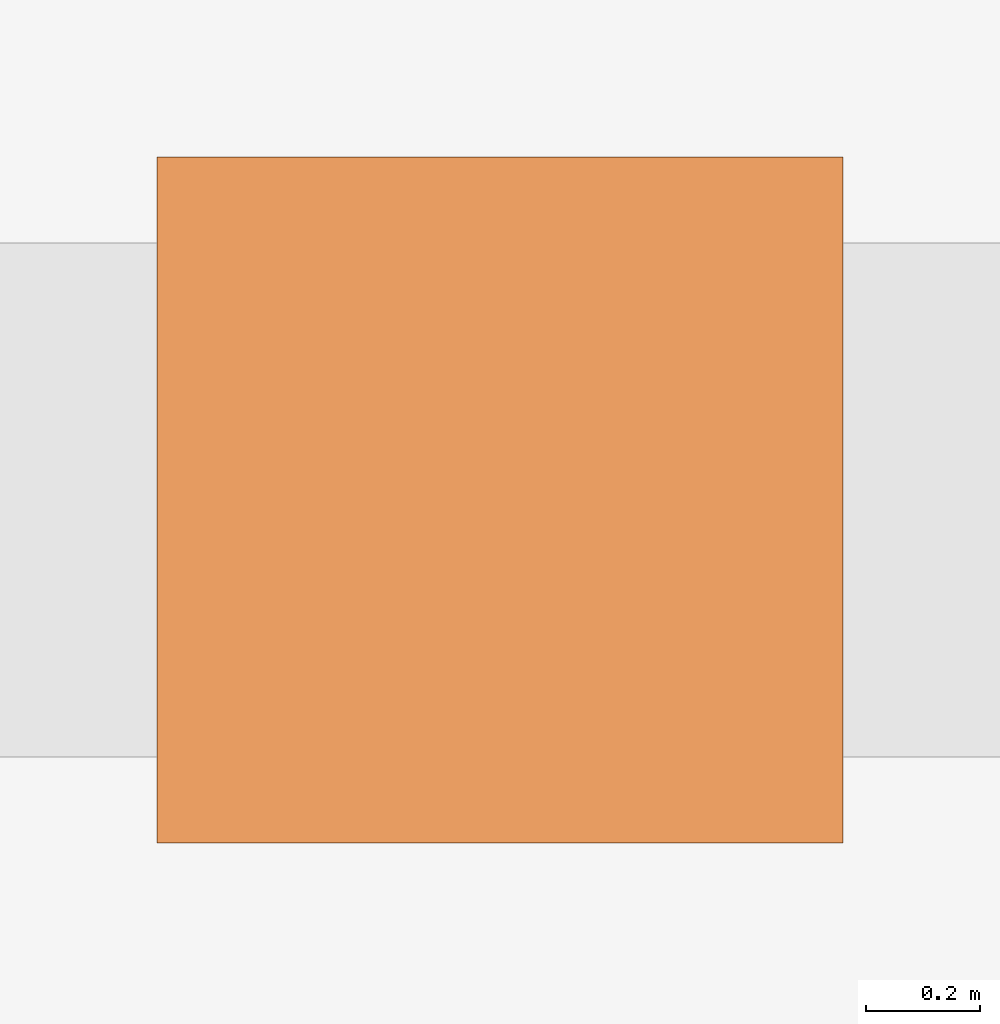
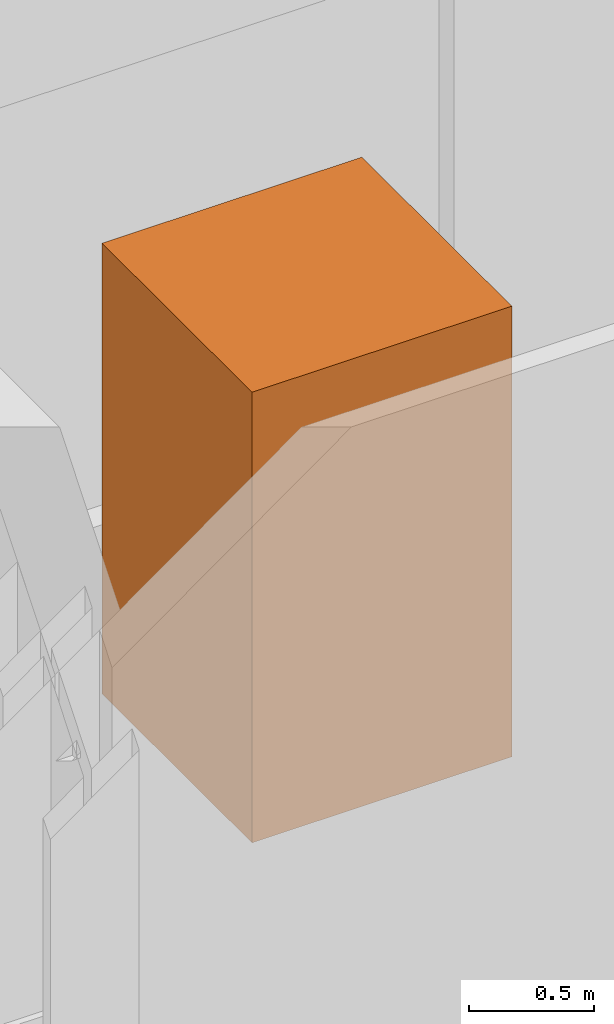
# One storey, part 8 of 8: 1 geographic element.
"""IFC4 building model written with IfcOpenShell, lengths in metres."""

from ifc_helpers import new_model, si_unit, direction, frame, origin, origin_2d, place, context, subcontext, project, spatial, rectangle, extrude, material, type_object, element, save


model = new_model("IFC4")

# Units and contexts
model_context = context("Model", 3, precision=1e-05, world=origin(), true_north=direction((0.0, 1.0)))
body_context = subcontext(model_context, "Body", "Model", "MODEL_VIEW")
ifc_project = project(units=[si_unit("LENGTHUNIT", "METRE"), si_unit("AREAUNIT", "SQUARE_METRE"), si_unit("VOLUMEUNIT", "CUBIC_METRE"), si_unit("PLANEANGLEUNIT", "RADIAN"), si_unit("MASSUNIT", "GRAM", prefix="KILO")], contexts=[model_context])

# Site, building, storey
site_placement = place(None, origin())
site = spatial("IfcSite", under=ifc_project, at=site_placement, CompositionType="ELEMENT")
building_placement = place(site_placement, origin())
building = spatial("IfcBuilding", under=site, at=building_placement, Name="Immortelle Media Tower", CompositionType="ELEMENT")
storey_placement = place(building_placement, frame((0.0, 0.0, 193.0)))
storey = spatial("IfcBuildingStorey", under=building, at=storey_placement, Name="L40", CompositionType="ELEMENT", Elevation=193.0)

# Geographic element
ifc_material = material(Name="Tree canopy foliage")
geographic_element_type = type_object("IfcGeographicElementType", Name="Tree", PredefinedType="USERDEFINED", material=ifc_material)
geographic_element_placement = place(storey_placement, frame((26.0, 1.550048828125, 0.60009765625), z_axis=(0.0, 0.0, 1.0), x_axis=(1.0, 0.0, 0.0)))
element("IfcGeographicElement", 1, at=geographic_element_placement, inside=storey, type_object=geographic_element_type, Name="Tree L40 S2", ObjectType="Tree", PredefinedType="USERDEFINED", context=body_context, shape_type="SweptSolid", body=[
    extrude(rectangle(XDim=1.199951171875, YDim=1.199951171875, at=origin_2d()), origin(), (0.0, 0.0, 1.0), 2.199951171875),
])

save(model, "model.ifc")
